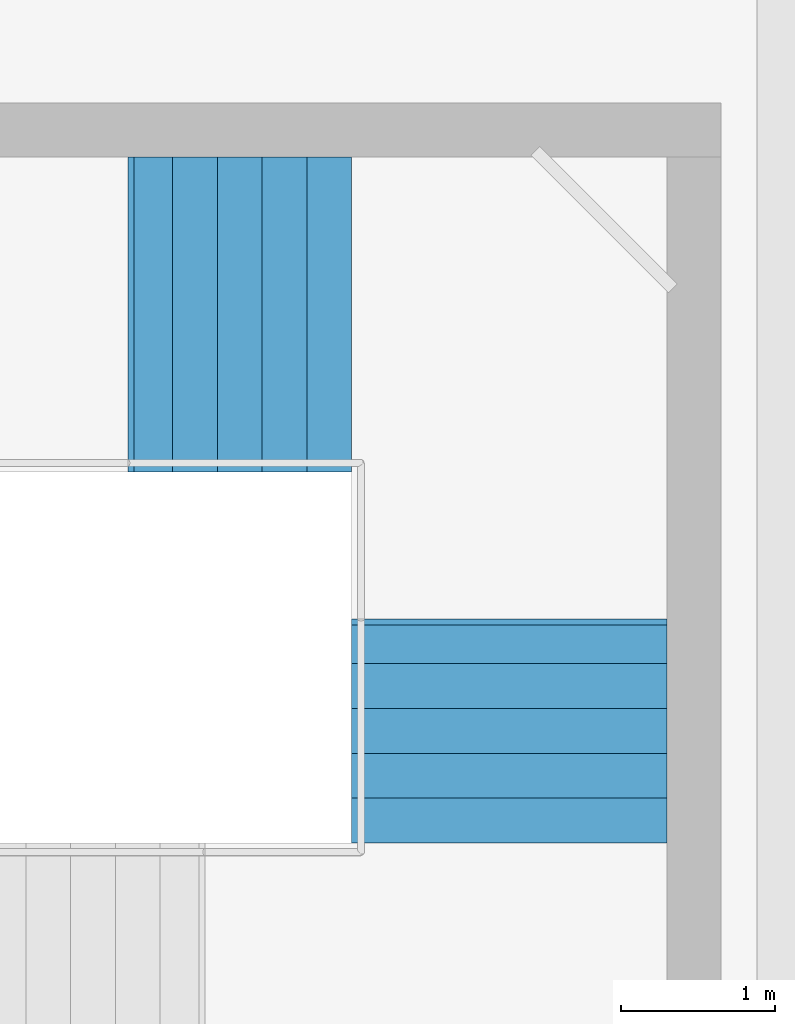
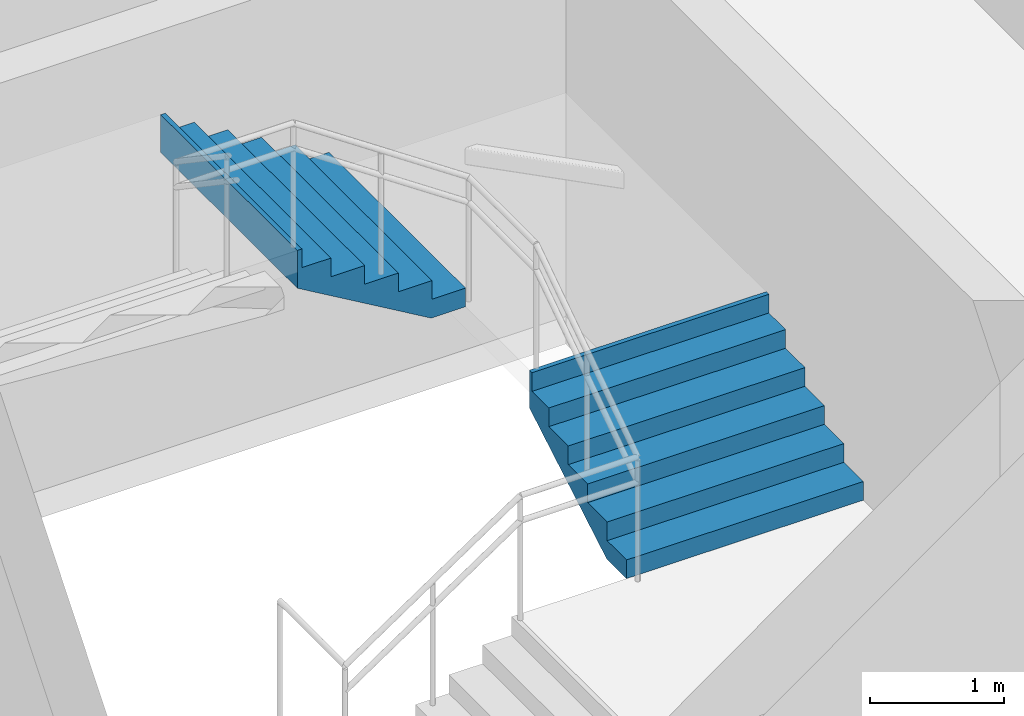
# One storey, part 49 of 53: 2 stair flights, 1 element without a shape of its own.
"""IFC4 building model written with IfcOpenShell, lengths in metres."""

import ifcopenshell
import ifcopenshell.guid

model = None  # the IFC model being written
_history = None  # IfcOwnerHistory: only IFC2X3 demands one
_inside = {}  # id of a spatial element -> (the spatial element, [elements in it])
_under = {}  # id of a project, library or spatial element -> (it, [spatial elements below it])
_declared = {}  # id of a project -> (the project, [libraries it declares])
_typed = {}  # id of a type object -> (the type object, [elements of that type])
_made_of = {}  # id of a material, layer set ... -> (it, [elements and type objects made of it])


def new_model(schema):
    """Start an empty IFC model of exactly this schema.

    Asked for "IFC4X3", IfcOpenShell would pick the latest addendum, in which some entities
    have other attributes; the version numbers below select the first issue.
    IFC2X3 requires an IfcOwnerHistory on every rooted entity: one is made here for all.
    """
    global model, _history
    if schema == "IFC4X3":
        model = ifcopenshell.file(schema_version=(4, 3, 0, 0))
    else:
        model = ifcopenshell.file(schema=schema)
    _inside.clear()
    _under.clear()
    _declared.clear()
    _typed.clear()
    _made_of.clear()
    _history = None
    if model.schema == "IFC2X3":
        org = make("IfcOrganization", Name="unknown")
        user = make(
            "IfcPersonAndOrganization",
            ThePerson=make("IfcPerson", FamilyName="unknown"),
            TheOrganization=org,
        )
        app = make(
            "IfcApplication",
            ApplicationDeveloper=org,
            Version="unknown",
            ApplicationFullName="unknown",
            ApplicationIdentifier="unknown",
        )
        _history = make(
            "IfcOwnerHistory",
            OwningUser=user,
            OwningApplication=app,
            ChangeAction="ADDED",
            CreationDate=0,
        )
    return model


def make(cls, **values):
    """One entity of the class cls with the attributes given. An attribute that is None is left unset."""
    return model.create_entity(
        cls, **{name: value for name, value in values.items() if value is not None}
    )


def rooted(cls, **values):
    """An entity with a GlobalId (a new one), such as an element, a storey or a relation."""
    return make(cls, GlobalId=ifcopenshell.guid.new(), OwnerHistory=_history, **values)


def si_unit(unit_type, name, prefix=None):
    """IfcSIUnit, for example si_unit("LENGTHUNIT", "METRE", prefix="MILLI")."""
    return make("IfcSIUnit", UnitType=unit_type, Prefix=prefix, Name=name)


def assignment(units):
    """IfcUnitAssignment: the units of a project."""
    return None if units is None else make("IfcUnitAssignment", Units=units)


def point(xyz):
    """IfcCartesianPoint."""
    return None if xyz is None else make("IfcCartesianPoint", Coordinates=xyz)


def direction(xyz):
    """IfcDirection."""
    return None if xyz is None else make("IfcDirection", DirectionRatios=xyz)


def frame(location, z_axis=None, x_axis=None):
    """IfcAxis2Placement3D, a coordinate frame: its origin and axes. An axis left out is left unset."""
    return make(
        "IfcAxis2Placement3D",
        Location=point(location),
        Axis=direction(z_axis),
        RefDirection=direction(x_axis),
    )


def origin():
    """The frame at (0, 0, 0) with its axes left unset."""
    return frame((0.0, 0.0, 0.0))


def place(relative_to, where):
    """IfcLocalPlacement: puts the frame where relative to a parent placement (None: the world)."""
    return make(
        "IfcLocalPlacement", PlacementRelTo=relative_to, RelativePlacement=where
    )


def context(
    kind, dimensions, precision=None, world=None, true_north=None, identifier=None
):
    """IfcGeometricRepresentationContext, for example the 3D "Model" context."""
    return make(
        "IfcGeometricRepresentationContext",
        ContextIdentifier=identifier,
        ContextType=kind,
        CoordinateSpaceDimension=dimensions,
        Precision=precision,
        WorldCoordinateSystem=world,
        TrueNorth=true_north,
    )


def subcontext(parent, identifier, kind, view, scale=None):
    """IfcGeometricRepresentationSubContext, for example "Body" below "Model"."""
    return make(
        "IfcGeometricRepresentationSubContext",
        ContextIdentifier=identifier,
        ContextType=kind,
        ParentContext=parent,
        TargetScale=scale,
        TargetView=view,
    )


def project(units=None, contexts=None):
    """IfcProject with its units and contexts."""
    return rooted(
        "IfcProject",
        Name="project",
        RepresentationContexts=contexts,
        UnitsInContext=assignment(units),
    )


def spatial(cls, under=None, at=None, **own):
    """A site, building, storey or space (cls), placed at a placement, below another one or the project."""
    s = rooted(cls, ObjectPlacement=at, **own)
    if under is not None:
        _under.setdefault(under.id(), (under, []))[1].append(s)
    return s


def point_list(points):
    """IfcCartesianPointList2D or 3D."""
    cls = (
        "IfcCartesianPointList2D" if len(points[0]) == 2 else "IfcCartesianPointList3D"
    )
    return make(cls, CoordList=points)


def triangles(points, corners, closed=None, point_numbers=None):
    """IfcTriangulatedFaceSet: each triangle names its three corners, points numbered from 1."""
    return make(
        "IfcTriangulatedFaceSet",
        Coordinates=point_list(points),
        Closed=closed,
        CoordIndex=corners,
        PnIndex=point_numbers,
    )


def shape(context_of_items, identifier, shape_type, items):
    """IfcShapeRepresentation: the items that make up one representation, for example the "Body"."""
    return make(
        "IfcShapeRepresentation",
        ContextOfItems=context_of_items,
        RepresentationIdentifier=identifier,
        RepresentationType=shape_type,
        Items=items,
    )


def material(Name=None, Category=None):
    """IfcMaterial."""
    return make("IfcMaterial", Name=Name, Category=Category)


def made_of(thing, what):
    """Note that an element or type object is made of a material, layer set ...; save() writes the relation."""
    if what is not None:
        _made_of.setdefault(what.id(), (what, []))[1].append(thing)
    return thing


def type_object(cls, material=None, **own):
    """A type object (cls), such as IfcWallType, which elements share."""
    return made_of(rooted(cls, **own), material)


def element(
    cls,
    number,
    at=None,
    inside=None,
    cuts=None,
    type_object=None,
    material=None,
    context=None,
    identifier="Body",
    shape_type=None,
    held_by="IfcProductDefinitionShape",
    body=None,
    shapes=None,
    **own,
):
    """One element of the class cls, such as IfcWall. Its Tag is "e" and its number.

    at: its placement. inside: the storey or other place that contains it. cuts: it is an
    opening in that element (IfcRelVoidsElement). A single representation is given by context,
    identifier, shape_type and body (its items); several are given by shapes. held_by: the class
    of the entity that holds the representations. save() writes the other relations.
    """
    e = rooted(cls, Tag="e%d" % number, ObjectPlacement=at, **own)
    if body is not None:
        shapes = [shape(context, identifier, shape_type, body)]
    if shapes is not None:
        e.Representation = make(held_by, Representations=shapes)
    if inside is not None:
        _inside.setdefault(inside.id(), (inside, []))[1].append(e)
    if cuts is not None:
        rooted(
            "IfcRelVoidsElement", RelatingBuildingElement=cuts, RelatedOpeningElement=e
        )
    if type_object is not None:
        _typed.setdefault(type_object.id(), (type_object, []))[1].append(e)
    return made_of(e, material)


def aggregate(whole, parts):
    """IfcRelAggregates: a whole, such as a stair, and the parts it consists of."""
    return rooted("IfcRelAggregates", RelatingObject=whole, RelatedObjects=parts)


def save(model, path):
    """Write the relations noted so far, then the file.

    IfcRelAggregates (storeys below a building ...), IfcRelContainedInSpatialStructure (elements
    in a storey), IfcRelDefinesByType, IfcRelAssociatesMaterial and IfcRelDeclares: one each for
    every whole, place, type object, material and project.
    """
    for whole, parts in _under.values():
        aggregate(whole, parts)
    for where, things in _inside.values():
        rooted(
            "IfcRelContainedInSpatialStructure",
            RelatedElements=things,
            RelatingStructure=where,
        )
    for kind, things in _typed.values():
        rooted("IfcRelDefinesByType", RelatedObjects=things, RelatingType=kind)
    for what, things in _made_of.values():
        rooted("IfcRelAssociatesMaterial", RelatedObjects=things, RelatingMaterial=what)
    for by, libraries in _declared.values():
        rooted("IfcRelDeclares", RelatingContext=by, RelatedDefinitions=libraries)
    model.write(path)


model = new_model("IFC4")

# Units and contexts
model_context = context("Model", 3, precision=1e-05, world=origin(), true_north=direction((0.0, 1.0)))
body_context = subcontext(model_context, "Body", "Model", "MODEL_VIEW")
ifc_project = project(units=[si_unit("LENGTHUNIT", "METRE"), si_unit("AREAUNIT", "SQUARE_METRE"), si_unit("VOLUMEUNIT", "CUBIC_METRE"), si_unit("PLANEANGLEUNIT", "RADIAN"), si_unit("MASSUNIT", "GRAM", prefix="KILO")], contexts=[model_context])

# Site, building, storey
site_placement = place(None, origin())
site = spatial("IfcSite", under=ifc_project, at=site_placement, CompositionType="ELEMENT")
building_placement = place(site_placement, origin())
building = spatial("IfcBuilding", under=site, at=building_placement, Name="Sillaruma Civic Art Gallery", CompositionType="ELEMENT")
storey_placement = place(building_placement, frame((0.0, 0.0, 70.3798828125)))
storey = spatial("IfcBuildingStorey", under=building, at=storey_placement, Name="L14", CompositionType="ELEMENT", Elevation=70.3798828125)

# Stair, stair flights
ifc_material = material(Name="Concrete H35 (35 MPa)", Category="concrete")
stair_type = type_object("IfcStairType", Name="STR-4F-24", PredefinedType="USERDEFINED", material=ifc_material)
stair_placement = place(storey_placement, origin())
stair = element("IfcStair", 1, at=stair_placement, inside=storey, type_object=stair_type, Name="Protected Exit Stair ST-03 (West Bar South) (L14)", ObjectType="THREE_RETURN_STAIR", PredefinedType="USERDEFINED")
stair_flight_type = type_object("IfcStairFlightType", Name="SFL-STR-6", PredefinedType="STRAIGHT", material=ifc_material)
stair_flight_1_placement = place(storey_placement, frame((68.219970703125, 33.449951171875, 1.02001953125), z_axis=(0.0, 0.0, 1.0), x_axis=(0.0, 1.0, 0.0)))
stair_flight_1 = element("IfcStairFlight", 2, at=stair_flight_1_placement, type_object=stair_flight_type, Name="ST-03 flight 2", NumberOfRisers=6, NumberOfTreads=5, PredefinedType="STRAIGHT", RiserHeight=0.17, TreadLength=0.29, context=body_context, shape_type="Tessellation", body=[
    triangles([(0.0, -1.02001953125, 0.0), (0.29, -1.02001953125, 0.0), (0.296365, -1.02001953125, 0.0), (0.58, -1.02001953125, 0.166269), (0.87, -1.02001953125, 0.336269), (1.16, -1.02001953125, 0.506269), (1.409951, -1.02001953125, 0.652792), (1.449951, -1.02001953125, 0.67624), (1.449951, -1.02001953125, 1.02), (1.409951, -1.02001953125, 1.02), (1.409951, -1.02001953125, 0.85), (1.16, -1.02001953125, 0.85), (1.16, -1.02001953125, 0.68), (0.87, -1.02001953125, 0.68), (0.87, -1.02001953125, 0.51), (0.58, -1.02001953125, 0.51), (0.58, -1.02001953125, 0.34), (0.296365, -1.02001953125, 0.34), (0.29, -1.02001953125, 0.34), (0.29, -1.02001953125, 0.17), (0.0, -1.02001953125, 0.17), (0.0, -0.05, 0.0), (0.29, -0.05, 0.0), (0.296365, -0.05, 0.0), (0.58, -0.05, 0.166269), (0.87, -0.05, 0.336269), (1.16, -0.05, 0.506269), (1.409951, -0.05, 0.652792), (1.449951, -0.05, 0.67624), (1.449951, -0.05, 1.02), (1.409951, -0.05, 1.02), (1.409951, -0.05, 0.85), (1.16, -0.05, 0.85), (1.16, -0.05, 0.68), (0.87, -0.05, 0.68), (0.87, -0.05, 0.51), (0.58, -0.05, 0.51), (0.58, -0.05, 0.34), (0.296365, -0.05, 0.34), (0.29, -0.05, 0.34), (0.29, -0.05, 0.17), (0.0, -0.05, 0.17), (0.0, -0.0375, 0.0), (0.29, -0.0375, 0.0), (0.296365, -0.0375, 0.0), (0.58, -0.0375, 0.166269), (0.87, -0.0375, 0.336269), (1.16, -0.0375, 0.506269), (1.409951, -0.0375, 0.652792), (1.449951, -0.0375, 0.67624), (1.449951, -0.0375, 1.02), (1.409951, -0.0375, 1.02), (1.409951, -0.0375, 0.85), (1.16, -0.0375, 0.85), (1.16, -0.0375, 0.68), (0.87, -0.0375, 0.68), (0.87, -0.0375, 0.51), (0.58, -0.0375, 0.51), (0.58, -0.0375, 0.34), (0.296365, -0.0375, 0.34), (0.29, -0.0375, 0.34), (0.29, -0.0375, 0.17), (0.0, -0.0375, 0.17), (0.0, -0.025, 0.0), (0.29, -0.025, 0.0), (0.296365, -0.025, 0.0), (0.58, -0.025, 0.166269), (0.87, -0.025, 0.336269), (1.16, -0.025, 0.506269), (1.409951, -0.025, 0.652792), (1.449951, -0.025, 0.67624), (1.449951, -0.025, 1.02), (1.409951, -0.025, 1.02), (1.409951, -0.025, 0.85), (1.16, -0.025, 0.85), (1.16, -0.025, 0.68), (0.87, -0.025, 0.68), (0.87, -0.025, 0.51), (0.58, -0.025, 0.51), (0.58, -0.025, 0.34), (0.296365, -0.025, 0.34), (0.29, -0.025, 0.34), (0.29, -0.025, 0.17), (0.0, -0.025, 0.17), (0.0, -0.0125, 0.0), (0.29, -0.0125, 0.0), (0.296365, -0.0125, 0.0), (0.58, -0.0125, 0.166269), (0.87, -0.0125, 0.336269), (1.16, -0.0125, 0.506269), (1.409951, -0.0125, 0.652792), (1.449951, -0.0125, 0.67624), (1.449951, -0.0125, 1.02), (1.409951, -0.0125, 1.02), (1.409951, -0.0125, 0.85), (1.16, -0.0125, 0.85), (1.16, -0.0125, 0.68), (0.87, -0.0125, 0.68), (0.87, -0.0125, 0.51), (0.58, -0.0125, 0.51), (0.58, -0.0125, 0.34), (0.296365, -0.0125, 0.34), (0.29, -0.0125, 0.34), (0.29, -0.0125, 0.17), (0.0, -0.0125, 0.17), (0.0, 0.0, 0.0), (0.29, 0.0, 0.0), (0.296365, 0.0, 0.0), (0.58, 0.0, 0.166269), (0.87, 0.0, 0.336269), (1.16, 0.0, 0.506269), (1.409951, 0.0, 0.652792), (1.449951, 0.0, 0.67624), (1.449951, 0.0, 1.02), (1.409951, 0.0, 1.02), (1.409951, 0.0, 0.85), (1.16, 0.0, 0.85), (1.16, 0.0, 0.68), (0.87, 0.0, 0.68), (0.87, 0.0, 0.51), (0.58, 0.0, 0.51), (0.58, 0.0, 0.34), (0.296365, 0.0, 0.34), (0.29, 0.0, 0.34), (0.29, 0.0, 0.17), (0.0, 0.0, 0.17), (0.0, 0.0125, 0.0), (0.29, 0.0125, 0.0), (0.296365, 0.0125, 0.0), (0.58, 0.0125, 0.166269), (0.87, 0.0125, 0.336269), (1.16, 0.0125, 0.506269), (1.409951, 0.0125, 0.652792), (1.449951, 0.0125, 0.67624), (1.449951, 0.0125, 1.02), (1.409951, 0.0125, 1.02), (1.409951, 0.0125, 0.85), (1.16, 0.0125, 0.85), (1.16, 0.0125, 0.68), (0.87, 0.0125, 0.68), (0.87, 0.0125, 0.51), (0.58, 0.0125, 0.51), (0.58, 0.0125, 0.34), (0.296365, 0.0125, 0.34), (0.29, 0.0125, 0.34), (0.29, 0.0125, 0.17), (0.0, 0.0125, 0.17), (0.0, 0.025, 0.0), (0.29, 0.025, 0.0), (0.296365, 0.025, 0.0), (0.58, 0.025, 0.166269), (0.87, 0.025, 0.336269), (1.16, 0.025, 0.506269), (1.409951, 0.025, 0.652792), (1.449951, 0.025, 0.67624), (1.449951, 0.025, 1.02), (1.409951, 0.025, 1.02), (1.409951, 0.025, 0.85), (1.16, 0.025, 0.85), (1.16, 0.025, 0.68), (0.87, 0.025, 0.68), (0.87, 0.025, 0.51), (0.58, 0.025, 0.51), (0.58, 0.025, 0.34), (0.296365, 0.025, 0.34), (0.29, 0.025, 0.34), (0.29, 0.025, 0.17), (0.0, 0.025, 0.17), (0.0, 0.0375, 0.0), (0.29, 0.0375, 0.0), (0.296365, 0.0375, 0.0), (0.58, 0.0375, 0.166269), (0.87, 0.0375, 0.336269), (1.16, 0.0375, 0.506269), (1.409951, 0.0375, 0.652792), (1.449951, 0.0375, 0.67624), (1.449951, 0.0375, 1.02), (1.409951, 0.0375, 1.02), (1.409951, 0.0375, 0.85), (1.16, 0.0375, 0.85), (1.16, 0.0375, 0.68), (0.87, 0.0375, 0.68), (0.87, 0.0375, 0.51), (0.58, 0.0375, 0.51), (0.58, 0.0375, 0.34), (0.296365, 0.0375, 0.34), (0.29, 0.0375, 0.34), (0.29, 0.0375, 0.17), (0.0, 0.0375, 0.17), (0.0, 0.05, 0.0), (0.29, 0.05, 0.0), (0.296365, 0.05, 0.0), (0.58, 0.05, 0.166269), (0.87, 0.05, 0.336269), (1.16, 0.05, 0.506269), (1.409951, 0.05, 0.652792), (1.449951, 0.05, 0.67624), (1.449951, 0.05, 1.02), (1.409951, 0.05, 1.02), (1.409951, 0.05, 0.85), (1.16, 0.05, 0.85), (1.16, 0.05, 0.68), (0.87, 0.05, 0.68), (0.87, 0.05, 0.51), (0.58, 0.05, 0.51), (0.58, 0.05, 0.34), (0.296365, 0.05, 0.34), (0.29, 0.05, 0.34), (0.29, 0.05, 0.17), (0.0, 0.05, 0.17), (0.0, 1.02001953125, 0.0), (0.29, 1.02001953125, 0.0), (0.296365, 1.02001953125, 0.0), (0.58, 1.02001953125, 0.166269), (0.87, 1.02001953125, 0.336269), (1.16, 1.02001953125, 0.506269), (1.409951, 1.02001953125, 0.652792), (1.449951, 1.02001953125, 0.67624), (1.449951, 1.02001953125, 1.02), (1.409951, 1.02001953125, 1.02), (1.409951, 1.02001953125, 0.85), (1.16, 1.02001953125, 0.85), (1.16, 1.02001953125, 0.68), (0.87, 1.02001953125, 0.68), (0.87, 1.02001953125, 0.51), (0.58, 1.02001953125, 0.51), (0.58, 1.02001953125, 0.34), (0.296365, 1.02001953125, 0.34), (0.29, 1.02001953125, 0.34), (0.29, 1.02001953125, 0.17), (0.0, 1.02001953125, 0.17)], [[1, 2, 20], [1, 20, 21], [2, 3, 18], [2, 18, 20], [20, 18, 19], [3, 4, 17], [3, 17, 18], [4, 5, 15], [4, 15, 17], [17, 15, 16], [5, 6, 13], [5, 13, 15], [15, 13, 14], [6, 7, 11], [6, 11, 13], [13, 11, 12], [7, 8, 9], [7, 9, 11], [11, 9, 10], [230, 212, 211], [231, 230, 211], [228, 213, 212], [230, 228, 212], [229, 228, 230], [227, 214, 213], [228, 227, 213], [225, 215, 214], [227, 225, 214], [226, 225, 227], [223, 216, 215], [225, 223, 215], [224, 223, 225], [221, 217, 216], [223, 221, 216], [222, 221, 223], [219, 218, 217], [221, 219, 217], [220, 219, 221], [2, 1, 22], [2, 22, 23], [3, 2, 23], [3, 23, 24], [4, 3, 24], [4, 24, 25], [5, 4, 25], [5, 25, 26], [6, 5, 26], [6, 26, 27], [7, 6, 27], [7, 27, 28], [8, 7, 28], [8, 28, 29], [9, 8, 29], [9, 29, 30], [10, 9, 30], [10, 30, 31], [11, 10, 31], [11, 31, 32], [12, 11, 32], [12, 32, 33], [13, 12, 33], [13, 33, 34], [14, 13, 34], [14, 34, 35], [15, 14, 35], [15, 35, 36], [16, 15, 36], [16, 36, 37], [17, 16, 37], [17, 37, 38], [18, 17, 38], [18, 38, 39], [19, 18, 39], [19, 39, 40], [20, 19, 40], [20, 40, 41], [21, 20, 41], [21, 41, 42], [1, 21, 42], [1, 42, 22], [23, 22, 43], [23, 43, 44], [24, 23, 44], [24, 44, 45], [25, 24, 45], [25, 45, 46], [26, 25, 46], [26, 46, 47], [27, 26, 47], [27, 47, 48], [28, 27, 48], [28, 48, 49], [29, 28, 49], [29, 49, 50], [30, 29, 50], [30, 50, 51], [31, 30, 51], [31, 51, 52], [32, 31, 52], [32, 52, 53], [33, 32, 53], [33, 53, 54], [34, 33, 54], [34, 54, 55], [35, 34, 55], [35, 55, 56], [36, 35, 56], [36, 56, 57], [37, 36, 57], [37, 57, 58], [38, 37, 58], [38, 58, 59], [39, 38, 59], [39, 59, 60], [40, 39, 60], [40, 60, 61], [41, 40, 61], [41, 61, 62], [42, 41, 62], [42, 62, 63], [22, 42, 63], [22, 63, 43], [44, 43, 64], [44, 64, 65], [45, 44, 65], [45, 65, 66], [46, 45, 66], [46, 66, 67], [47, 46, 67], [47, 67, 68], [48, 47, 68], [48, 68, 69], [49, 48, 69], [49, 69, 70], [50, 49, 70], [50, 70, 71], [51, 50, 71], [51, 71, 72], [52, 51, 72], [52, 72, 73], [53, 52, 73], [53, 73, 74], [54, 53, 74], [54, 74, 75], [55, 54, 75], [55, 75, 76], [56, 55, 76], [56, 76, 77], [57, 56, 77], [57, 77, 78], [58, 57, 78], [58, 78, 79], [59, 58, 79], [59, 79, 80], [60, 59, 80], [60, 80, 81], [61, 60, 81], [61, 81, 82], [62, 61, 82], [62, 82, 83], [63, 62, 83], [63, 83, 84], [43, 63, 84], [43, 84, 64], [65, 64, 85], [65, 85, 86], [66, 65, 86], [66, 86, 87], [67, 66, 87], [67, 87, 88], [68, 67, 88], [68, 88, 89], [69, 68, 89], [69, 89, 90], [70, 69, 90], [70, 90, 91], [71, 70, 91], [71, 91, 92], [72, 71, 92], [72, 92, 93], [73, 72, 93], [73, 93, 94], [74, 73, 94], [74, 94, 95], [75, 74, 95], [75, 95, 96], [76, 75, 96], [76, 96, 97], [77, 76, 97], [77, 97, 98], [78, 77, 98], [78, 98, 99], [79, 78, 99], [79, 99, 100], [80, 79, 100], [80, 100, 101], [81, 80, 101], [81, 101, 102], [82, 81, 102], [82, 102, 103], [83, 82, 103], [83, 103, 104], [84, 83, 104], [84, 104, 105], [64, 84, 105], [64, 105, 85], [86, 85, 106], [86, 106, 107], [87, 86, 107], [87, 107, 108], [88, 87, 108], [88, 108, 109], [89, 88, 109], [89, 109, 110], [90, 89, 110], [90, 110, 111], [91, 90, 111], [91, 111, 112], [92, 91, 112], [92, 112, 113], [93, 92, 113], [93, 113, 114], [94, 93, 114], [94, 114, 115], [95, 94, 115], [95, 115, 116], [96, 95, 116], [96, 116, 117], [97, 96, 117], [97, 117, 118], [98, 97, 118], [98, 118, 119], [99, 98, 119], [99, 119, 120], [100, 99, 120], [100, 120, 121], [101, 100, 121], [101, 121, 122], [102, 101, 122], [102, 122, 123], [103, 102, 123], [103, 123, 124], [104, 103, 124], [104, 124, 125], [105, 104, 125], [105, 125, 126], [85, 105, 126], [85, 126, 106], [107, 106, 127], [107, 127, 128], [108, 107, 128], [108, 128, 129], [109, 108, 129], [109, 129, 130], [110, 109, 130], [110, 130, 131], [111, 110, 131], [111, 131, 132], [112, 111, 132], [112, 132, 133], [113, 112, 133], [113, 133, 134], [114, 113, 134], [114, 134, 135], [115, 114, 135], [115, 135, 136], [116, 115, 136], [116, 136, 137], [117, 116, 137], [117, 137, 138], [118, 117, 138], [118, 138, 139], [119, 118, 139], [119, 139, 140], [120, 119, 140], [120, 140, 141], [121, 120, 141], [121, 141, 142], [122, 121, 142], [122, 142, 143], [123, 122, 143], [123, 143, 144], [124, 123, 144], [124, 144, 145], [125, 124, 145], [125, 145, 146], [126, 125, 146], [126, 146, 147], [106, 126, 147], [106, 147, 127], [128, 127, 148], [128, 148, 149], [129, 128, 149], [129, 149, 150], [130, 129, 150], [130, 150, 151], [131, 130, 151], [131, 151, 152], [132, 131, 152], [132, 152, 153], [133, 132, 153], [133, 153, 154], [134, 133, 154], [134, 154, 155], [135, 134, 155], [135, 155, 156], [136, 135, 156], [136, 156, 157], [137, 136, 157], [137, 157, 158], [138, 137, 158], [138, 158, 159], [139, 138, 159], [139, 159, 160], [140, 139, 160], [140, 160, 161], [141, 140, 161], [141, 161, 162], [142, 141, 162], [142, 162, 163], [143, 142, 163], [143, 163, 164], [144, 143, 164], [144, 164, 165], [145, 144, 165], [145, 165, 166], [146, 145, 166], [146, 166, 167], [147, 146, 167], [147, 167, 168], [127, 147, 168], [127, 168, 148], [149, 148, 169], [149, 169, 170], [150, 149, 170], [150, 170, 171], [151, 150, 171], [151, 171, 172], [152, 151, 172], [152, 172, 173], [153, 152, 173], [153, 173, 174], [154, 153, 174], [154, 174, 175], [155, 154, 175], [155, 175, 176], [156, 155, 176], [156, 176, 177], [157, 156, 177], [157, 177, 178], [158, 157, 178], [158, 178, 179], [159, 158, 179], [159, 179, 180], [160, 159, 180], [160, 180, 181], [161, 160, 181], [161, 181, 182], [162, 161, 182], [162, 182, 183], [163, 162, 183], [163, 183, 184], [164, 163, 184], [164, 184, 185], [165, 164, 185], [165, 185, 186], [166, 165, 186], [166, 186, 187], [167, 166, 187], [167, 187, 188], [168, 167, 188], [168, 188, 189], [148, 168, 189], [148, 189, 169], [170, 169, 190], [170, 190, 191], [171, 170, 191], [171, 191, 192], [172, 171, 192], [172, 192, 193], [173, 172, 193], [173, 193, 194], [174, 173, 194], [174, 194, 195], [175, 174, 195], [175, 195, 196], [176, 175, 196], [176, 196, 197], [177, 176, 197], [177, 197, 198], [178, 177, 198], [178, 198, 199], [179, 178, 199], [179, 199, 200], [180, 179, 200], [180, 200, 201], [181, 180, 201], [181, 201, 202], [182, 181, 202], [182, 202, 203], [183, 182, 203], [183, 203, 204], [184, 183, 204], [184, 204, 205], [185, 184, 205], [185, 205, 206], [186, 185, 206], [186, 206, 207], [187, 186, 207], [187, 207, 208], [188, 187, 208], [188, 208, 209], [189, 188, 209], [189, 209, 210], [169, 189, 210], [169, 210, 190], [191, 190, 211], [191, 211, 212], [192, 191, 212], [192, 212, 213], [193, 192, 213], [193, 213, 214], [194, 193, 214], [194, 214, 215], [195, 194, 215], [195, 215, 216], [196, 195, 216], [196, 216, 217], [197, 196, 217], [197, 217, 218], [198, 197, 218], [198, 218, 219], [199, 198, 219], [199, 219, 220], [200, 199, 220], [200, 220, 221], [201, 200, 221], [201, 221, 222], [202, 201, 222], [202, 222, 223], [203, 202, 223], [203, 223, 224], [204, 203, 224], [204, 224, 225], [205, 204, 225], [205, 225, 226], [206, 205, 226], [206, 226, 227], [207, 206, 227], [207, 227, 228], [208, 207, 228], [208, 228, 229], [209, 208, 229], [209, 229, 230], [210, 209, 230], [210, 230, 231], [190, 210, 231], [190, 231, 211]], closed=True),
])
stair_flight_2_placement = place(storey_placement, frame((67.199951171875, 36.8701171875, 2.0400390625), z_axis=(0.0, 0.0, 1.0), x_axis=(-1.0, 0.0, 0.0)))
stair_flight_2 = element("IfcStairFlight", 3, at=stair_flight_2_placement, type_object=stair_flight_type, Name="ST-03 flight 3", NumberOfRisers=6, NumberOfTreads=5, PredefinedType="STRAIGHT", RiserHeight=0.17, TreadLength=0.29, context=body_context, shape_type="Tessellation", body=[
    triangles([(0.0, -1.02001953125, 0.0), (0.29, -1.02001953125, 0.0), (0.296365, -1.02001953125, 0.0), (0.58, -1.02001953125, 0.166269), (0.87, -1.02001953125, 0.336269), (1.16, -1.02001953125, 0.506269), (1.409951, -1.02001953125, 0.652792), (1.449951, -1.02001953125, 0.67624), (1.449951, -1.02001953125, 1.02), (1.409951, -1.02001953125, 1.02), (1.409951, -1.02001953125, 0.85), (1.16, -1.02001953125, 0.85), (1.16, -1.02001953125, 0.68), (0.87, -1.02001953125, 0.68), (0.87, -1.02001953125, 0.51), (0.58, -1.02001953125, 0.51), (0.58, -1.02001953125, 0.34), (0.296365, -1.02001953125, 0.34), (0.29, -1.02001953125, 0.34), (0.29, -1.02001953125, 0.17), (0.0, -1.02001953125, 0.17), (0.0, -0.05, 0.0), (0.29, -0.05, 0.0), (0.296365, -0.05, 0.0), (0.58, -0.05, 0.166269), (0.87, -0.05, 0.336269), (1.16, -0.05, 0.506269), (1.409951, -0.05, 0.652792), (1.449951, -0.05, 0.67624), (1.449951, -0.05, 1.02), (1.409951, -0.05, 1.02), (1.409951, -0.05, 0.85), (1.16, -0.05, 0.85), (1.16, -0.05, 0.68), (0.87, -0.05, 0.68), (0.87, -0.05, 0.51), (0.58, -0.05, 0.51), (0.58, -0.05, 0.34), (0.296365, -0.05, 0.34), (0.29, -0.05, 0.34), (0.29, -0.05, 0.17), (0.0, -0.05, 0.17), (0.0, -0.0375, 0.0), (0.29, -0.0375, 0.0), (0.296365, -0.0375, 0.0), (0.58, -0.0375, 0.166269), (0.87, -0.0375, 0.336269), (1.16, -0.0375, 0.506269), (1.409951, -0.0375, 0.652792), (1.449951, -0.0375, 0.67624), (1.449951, -0.0375, 1.02), (1.409951, -0.0375, 1.02), (1.409951, -0.0375, 0.85), (1.16, -0.0375, 0.85), (1.16, -0.0375, 0.68), (0.87, -0.0375, 0.68), (0.87, -0.0375, 0.51), (0.58, -0.0375, 0.51), (0.58, -0.0375, 0.34), (0.296365, -0.0375, 0.34), (0.29, -0.0375, 0.34), (0.29, -0.0375, 0.17), (0.0, -0.0375, 0.17), (0.0, -0.025, 0.0), (0.29, -0.025, 0.0), (0.296365, -0.025, 0.0), (0.58, -0.025, 0.166269), (0.87, -0.025, 0.336269), (1.16, -0.025, 0.506269), (1.409951, -0.025, 0.652792), (1.449951, -0.025, 0.67624), (1.449951, -0.025, 1.02), (1.409951, -0.025, 1.02), (1.409951, -0.025, 0.85), (1.16, -0.025, 0.85), (1.16, -0.025, 0.68), (0.87, -0.025, 0.68), (0.87, -0.025, 0.51), (0.58, -0.025, 0.51), (0.58, -0.025, 0.34), (0.296365, -0.025, 0.34), (0.29, -0.025, 0.34), (0.29, -0.025, 0.17), (0.0, -0.025, 0.17), (0.0, -0.0125, 0.0), (0.29, -0.0125, 0.0), (0.296365, -0.0125, 0.0), (0.58, -0.0125, 0.166269), (0.87, -0.0125, 0.336269), (1.16, -0.0125, 0.506269), (1.409951, -0.0125, 0.652792), (1.449951, -0.0125, 0.67624), (1.449951, -0.0125, 1.02), (1.409951, -0.0125, 1.02), (1.409951, -0.0125, 0.85), (1.16, -0.0125, 0.85), (1.16, -0.0125, 0.68), (0.87, -0.0125, 0.68), (0.87, -0.0125, 0.51), (0.58, -0.0125, 0.51), (0.58, -0.0125, 0.34), (0.296365, -0.0125, 0.34), (0.29, -0.0125, 0.34), (0.29, -0.0125, 0.17), (0.0, -0.0125, 0.17), (0.0, 0.0, 0.0), (0.29, 0.0, 0.0), (0.296365, 0.0, 0.0), (0.58, 0.0, 0.166269), (0.87, 0.0, 0.336269), (1.16, 0.0, 0.506269), (1.409951, 0.0, 0.652792), (1.449951, 0.0, 0.67624), (1.449951, 0.0, 1.02), (1.409951, 0.0, 1.02), (1.409951, 0.0, 0.85), (1.16, 0.0, 0.85), (1.16, 0.0, 0.68), (0.87, 0.0, 0.68), (0.87, 0.0, 0.51), (0.58, 0.0, 0.51), (0.58, 0.0, 0.34), (0.296365, 0.0, 0.34), (0.29, 0.0, 0.34), (0.29, 0.0, 0.17), (0.0, 0.0, 0.17), (0.0, 0.0125, 0.0), (0.29, 0.0125, 0.0), (0.296365, 0.0125, 0.0), (0.58, 0.0125, 0.166269), (0.87, 0.0125, 0.336269), (1.16, 0.0125, 0.506269), (1.409951, 0.0125, 0.652792), (1.449951, 0.0125, 0.67624), (1.449951, 0.0125, 1.02), (1.409951, 0.0125, 1.02), (1.409951, 0.0125, 0.85), (1.16, 0.0125, 0.85), (1.16, 0.0125, 0.68), (0.87, 0.0125, 0.68), (0.87, 0.0125, 0.51), (0.58, 0.0125, 0.51), (0.58, 0.0125, 0.34), (0.296365, 0.0125, 0.34), (0.29, 0.0125, 0.34), (0.29, 0.0125, 0.17), (0.0, 0.0125, 0.17), (0.0, 0.025, 0.0), (0.29, 0.025, 0.0), (0.296365, 0.025, 0.0), (0.58, 0.025, 0.166269), (0.87, 0.025, 0.336269), (1.16, 0.025, 0.506269), (1.409951, 0.025, 0.652792), (1.449951, 0.025, 0.67624), (1.449951, 0.025, 1.02), (1.409951, 0.025, 1.02), (1.409951, 0.025, 0.85), (1.16, 0.025, 0.85), (1.16, 0.025, 0.68), (0.87, 0.025, 0.68), (0.87, 0.025, 0.51), (0.58, 0.025, 0.51), (0.58, 0.025, 0.34), (0.296365, 0.025, 0.34), (0.29, 0.025, 0.34), (0.29, 0.025, 0.17), (0.0, 0.025, 0.17), (0.0, 0.0375, 0.0), (0.29, 0.0375, 0.0), (0.296365, 0.0375, 0.0), (0.58, 0.0375, 0.166269), (0.87, 0.0375, 0.336269), (1.16, 0.0375, 0.506269), (1.409951, 0.0375, 0.652792), (1.449951, 0.0375, 0.67624), (1.449951, 0.0375, 1.02), (1.409951, 0.0375, 1.02), (1.409951, 0.0375, 0.85), (1.16, 0.0375, 0.85), (1.16, 0.0375, 0.68), (0.87, 0.0375, 0.68), (0.87, 0.0375, 0.51), (0.58, 0.0375, 0.51), (0.58, 0.0375, 0.34), (0.296365, 0.0375, 0.34), (0.29, 0.0375, 0.34), (0.29, 0.0375, 0.17), (0.0, 0.0375, 0.17), (0.0, 0.05, 0.0), (0.29, 0.05, 0.0), (0.296365, 0.05, 0.0), (0.58, 0.05, 0.166269), (0.87, 0.05, 0.336269), (1.16, 0.05, 0.506269), (1.409951, 0.05, 0.652792), (1.449951, 0.05, 0.67624), (1.449951, 0.05, 1.02), (1.409951, 0.05, 1.02), (1.409951, 0.05, 0.85), (1.16, 0.05, 0.85), (1.16, 0.05, 0.68), (0.87, 0.05, 0.68), (0.87, 0.05, 0.51), (0.58, 0.05, 0.51), (0.58, 0.05, 0.34), (0.296365, 0.05, 0.34), (0.29, 0.05, 0.34), (0.29, 0.05, 0.17), (0.0, 0.05, 0.17), (0.0, 1.02001953125, 0.0), (0.29, 1.02001953125, 0.0), (0.296365, 1.02001953125, 0.0), (0.58, 1.02001953125, 0.166269), (0.87, 1.02001953125, 0.336269), (1.16, 1.02001953125, 0.506269), (1.409951, 1.02001953125, 0.652792), (1.449951, 1.02001953125, 0.67624), (1.449951, 1.02001953125, 1.02), (1.409951, 1.02001953125, 1.02), (1.409951, 1.02001953125, 0.85), (1.16, 1.02001953125, 0.85), (1.16, 1.02001953125, 0.68), (0.87, 1.02001953125, 0.68), (0.87, 1.02001953125, 0.51), (0.58, 1.02001953125, 0.51), (0.58, 1.02001953125, 0.34), (0.296365, 1.02001953125, 0.34), (0.29, 1.02001953125, 0.34), (0.29, 1.02001953125, 0.17), (0.0, 1.02001953125, 0.17)], [[1, 2, 20], [1, 20, 21], [2, 3, 18], [2, 18, 20], [20, 18, 19], [3, 4, 17], [3, 17, 18], [4, 5, 15], [4, 15, 17], [17, 15, 16], [5, 6, 13], [5, 13, 15], [15, 13, 14], [6, 7, 11], [6, 11, 13], [13, 11, 12], [7, 8, 9], [7, 9, 11], [11, 9, 10], [230, 212, 211], [231, 230, 211], [228, 213, 212], [230, 228, 212], [229, 228, 230], [227, 214, 213], [228, 227, 213], [225, 215, 214], [227, 225, 214], [226, 225, 227], [223, 216, 215], [225, 223, 215], [224, 223, 225], [221, 217, 216], [223, 221, 216], [222, 221, 223], [219, 218, 217], [221, 219, 217], [220, 219, 221], [2, 1, 22], [2, 22, 23], [3, 2, 23], [3, 23, 24], [4, 3, 24], [4, 24, 25], [5, 4, 25], [5, 25, 26], [6, 5, 26], [6, 26, 27], [7, 6, 27], [7, 27, 28], [8, 7, 28], [8, 28, 29], [9, 8, 29], [9, 29, 30], [10, 9, 30], [10, 30, 31], [11, 10, 31], [11, 31, 32], [12, 11, 32], [12, 32, 33], [13, 12, 33], [13, 33, 34], [14, 13, 34], [14, 34, 35], [15, 14, 35], [15, 35, 36], [16, 15, 36], [16, 36, 37], [17, 16, 37], [17, 37, 38], [18, 17, 38], [18, 38, 39], [19, 18, 39], [19, 39, 40], [20, 19, 40], [20, 40, 41], [21, 20, 41], [21, 41, 42], [1, 21, 42], [1, 42, 22], [23, 22, 43], [23, 43, 44], [24, 23, 44], [24, 44, 45], [25, 24, 45], [25, 45, 46], [26, 25, 46], [26, 46, 47], [27, 26, 47], [27, 47, 48], [28, 27, 48], [28, 48, 49], [29, 28, 49], [29, 49, 50], [30, 29, 50], [30, 50, 51], [31, 30, 51], [31, 51, 52], [32, 31, 52], [32, 52, 53], [33, 32, 53], [33, 53, 54], [34, 33, 54], [34, 54, 55], [35, 34, 55], [35, 55, 56], [36, 35, 56], [36, 56, 57], [37, 36, 57], [37, 57, 58], [38, 37, 58], [38, 58, 59], [39, 38, 59], [39, 59, 60], [40, 39, 60], [40, 60, 61], [41, 40, 61], [41, 61, 62], [42, 41, 62], [42, 62, 63], [22, 42, 63], [22, 63, 43], [44, 43, 64], [44, 64, 65], [45, 44, 65], [45, 65, 66], [46, 45, 66], [46, 66, 67], [47, 46, 67], [47, 67, 68], [48, 47, 68], [48, 68, 69], [49, 48, 69], [49, 69, 70], [50, 49, 70], [50, 70, 71], [51, 50, 71], [51, 71, 72], [52, 51, 72], [52, 72, 73], [53, 52, 73], [53, 73, 74], [54, 53, 74], [54, 74, 75], [55, 54, 75], [55, 75, 76], [56, 55, 76], [56, 76, 77], [57, 56, 77], [57, 77, 78], [58, 57, 78], [58, 78, 79], [59, 58, 79], [59, 79, 80], [60, 59, 80], [60, 80, 81], [61, 60, 81], [61, 81, 82], [62, 61, 82], [62, 82, 83], [63, 62, 83], [63, 83, 84], [43, 63, 84], [43, 84, 64], [65, 64, 85], [65, 85, 86], [66, 65, 86], [66, 86, 87], [67, 66, 87], [67, 87, 88], [68, 67, 88], [68, 88, 89], [69, 68, 89], [69, 89, 90], [70, 69, 90], [70, 90, 91], [71, 70, 91], [71, 91, 92], [72, 71, 92], [72, 92, 93], [73, 72, 93], [73, 93, 94], [74, 73, 94], [74, 94, 95], [75, 74, 95], [75, 95, 96], [76, 75, 96], [76, 96, 97], [77, 76, 97], [77, 97, 98], [78, 77, 98], [78, 98, 99], [79, 78, 99], [79, 99, 100], [80, 79, 100], [80, 100, 101], [81, 80, 101], [81, 101, 102], [82, 81, 102], [82, 102, 103], [83, 82, 103], [83, 103, 104], [84, 83, 104], [84, 104, 105], [64, 84, 105], [64, 105, 85], [86, 85, 106], [86, 106, 107], [87, 86, 107], [87, 107, 108], [88, 87, 108], [88, 108, 109], [89, 88, 109], [89, 109, 110], [90, 89, 110], [90, 110, 111], [91, 90, 111], [91, 111, 112], [92, 91, 112], [92, 112, 113], [93, 92, 113], [93, 113, 114], [94, 93, 114], [94, 114, 115], [95, 94, 115], [95, 115, 116], [96, 95, 116], [96, 116, 117], [97, 96, 117], [97, 117, 118], [98, 97, 118], [98, 118, 119], [99, 98, 119], [99, 119, 120], [100, 99, 120], [100, 120, 121], [101, 100, 121], [101, 121, 122], [102, 101, 122], [102, 122, 123], [103, 102, 123], [103, 123, 124], [104, 103, 124], [104, 124, 125], [105, 104, 125], [105, 125, 126], [85, 105, 126], [85, 126, 106], [107, 106, 127], [107, 127, 128], [108, 107, 128], [108, 128, 129], [109, 108, 129], [109, 129, 130], [110, 109, 130], [110, 130, 131], [111, 110, 131], [111, 131, 132], [112, 111, 132], [112, 132, 133], [113, 112, 133], [113, 133, 134], [114, 113, 134], [114, 134, 135], [115, 114, 135], [115, 135, 136], [116, 115, 136], [116, 136, 137], [117, 116, 137], [117, 137, 138], [118, 117, 138], [118, 138, 139], [119, 118, 139], [119, 139, 140], [120, 119, 140], [120, 140, 141], [121, 120, 141], [121, 141, 142], [122, 121, 142], [122, 142, 143], [123, 122, 143], [123, 143, 144], [124, 123, 144], [124, 144, 145], [125, 124, 145], [125, 145, 146], [126, 125, 146], [126, 146, 147], [106, 126, 147], [106, 147, 127], [128, 127, 148], [128, 148, 149], [129, 128, 149], [129, 149, 150], [130, 129, 150], [130, 150, 151], [131, 130, 151], [131, 151, 152], [132, 131, 152], [132, 152, 153], [133, 132, 153], [133, 153, 154], [134, 133, 154], [134, 154, 155], [135, 134, 155], [135, 155, 156], [136, 135, 156], [136, 156, 157], [137, 136, 157], [137, 157, 158], [138, 137, 158], [138, 158, 159], [139, 138, 159], [139, 159, 160], [140, 139, 160], [140, 160, 161], [141, 140, 161], [141, 161, 162], [142, 141, 162], [142, 162, 163], [143, 142, 163], [143, 163, 164], [144, 143, 164], [144, 164, 165], [145, 144, 165], [145, 165, 166], [146, 145, 166], [146, 166, 167], [147, 146, 167], [147, 167, 168], [127, 147, 168], [127, 168, 148], [149, 148, 169], [149, 169, 170], [150, 149, 170], [150, 170, 171], [151, 150, 171], [151, 171, 172], [152, 151, 172], [152, 172, 173], [153, 152, 173], [153, 173, 174], [154, 153, 174], [154, 174, 175], [155, 154, 175], [155, 175, 176], [156, 155, 176], [156, 176, 177], [157, 156, 177], [157, 177, 178], [158, 157, 178], [158, 178, 179], [159, 158, 179], [159, 179, 180], [160, 159, 180], [160, 180, 181], [161, 160, 181], [161, 181, 182], [162, 161, 182], [162, 182, 183], [163, 162, 183], [163, 183, 184], [164, 163, 184], [164, 184, 185], [165, 164, 185], [165, 185, 186], [166, 165, 186], [166, 186, 187], [167, 166, 187], [167, 187, 188], [168, 167, 188], [168, 188, 189], [148, 168, 189], [148, 189, 169], [170, 169, 190], [170, 190, 191], [171, 170, 191], [171, 191, 192], [172, 171, 192], [172, 192, 193], [173, 172, 193], [173, 193, 194], [174, 173, 194], [174, 194, 195], [175, 174, 195], [175, 195, 196], [176, 175, 196], [176, 196, 197], [177, 176, 197], [177, 197, 198], [178, 177, 198], [178, 198, 199], [179, 178, 199], [179, 199, 200], [180, 179, 200], [180, 200, 201], [181, 180, 201], [181, 201, 202], [182, 181, 202], [182, 202, 203], [183, 182, 203], [183, 203, 204], [184, 183, 204], [184, 204, 205], [185, 184, 205], [185, 205, 206], [186, 185, 206], [186, 206, 207], [187, 186, 207], [187, 207, 208], [188, 187, 208], [188, 208, 209], [189, 188, 209], [189, 209, 210], [169, 189, 210], [169, 210, 190], [191, 190, 211], [191, 211, 212], [192, 191, 212], [192, 212, 213], [193, 192, 213], [193, 213, 214], [194, 193, 214], [194, 214, 215], [195, 194, 215], [195, 215, 216], [196, 195, 216], [196, 216, 217], [197, 196, 217], [197, 217, 218], [198, 197, 218], [198, 218, 219], [199, 198, 219], [199, 219, 220], [200, 199, 220], [200, 220, 221], [201, 200, 221], [201, 221, 222], [202, 201, 222], [202, 222, 223], [203, 202, 223], [203, 223, 224], [204, 203, 224], [204, 224, 225], [205, 204, 225], [205, 225, 226], [206, 205, 226], [206, 226, 227], [207, 206, 227], [207, 227, 228], [208, 207, 228], [208, 228, 229], [209, 208, 229], [209, 229, 230], [210, 209, 230], [210, 230, 231], [190, 210, 231], [190, 231, 211]], closed=True),
])
aggregate(stair, [stair_flight_1, stair_flight_2])

save(model, "model.ifc")
